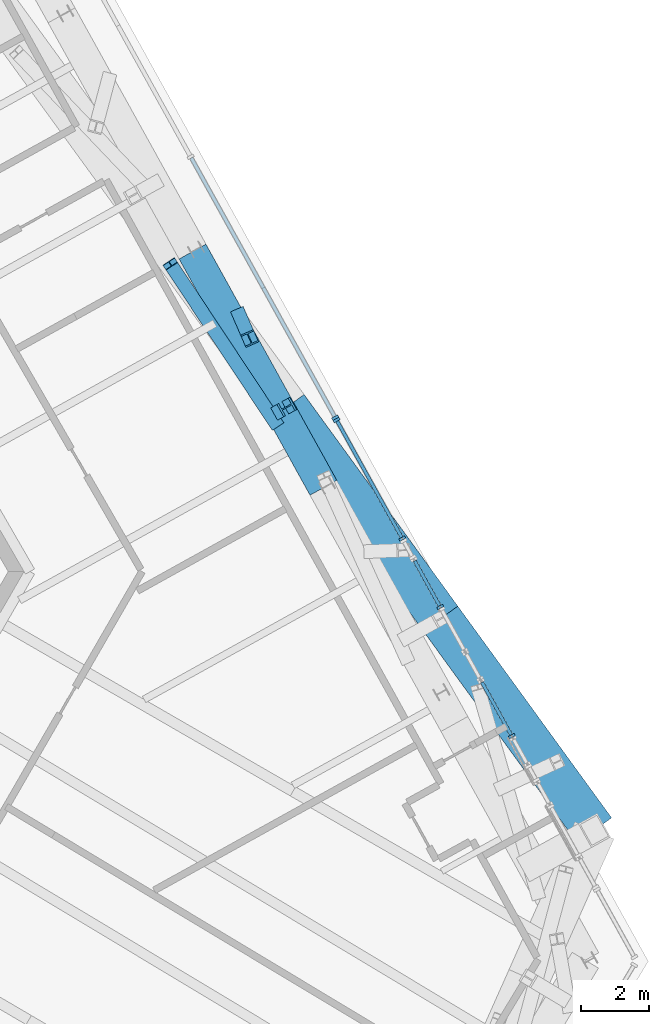
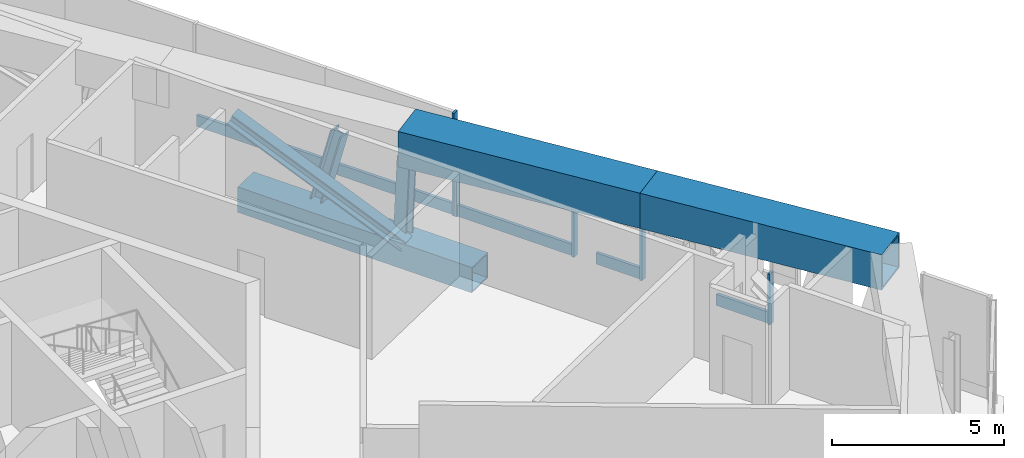
# One storey, part 6 of 28: 15 members, 4 elements without a shape of their own.
"""IFC4 building model written with IfcOpenShell, lengths in metres."""

from ifc_helpers import new_model, si_unit, direction, frame, origin, origin_2d, place, context, subcontext, project, spatial, rectangle, hollow_rectangle, i_section, extrude, source, transform, mapped, material, material_profile, profile_set, type_object, element, aggregate, save


model = new_model("IFC4")

# Units and contexts
model_context = context("Model", 3, precision=1e-05, world=origin(), true_north=direction((0.0, 1.0)))
body_context = subcontext(model_context, "Body", "Model", "MODEL_VIEW")
ifc_project = project(units=[si_unit("LENGTHUNIT", "METRE"), si_unit("AREAUNIT", "SQUARE_METRE"), si_unit("VOLUMEUNIT", "CUBIC_METRE"), si_unit("PLANEANGLEUNIT", "RADIAN"), si_unit("MASSUNIT", "GRAM", prefix="KILO")], contexts=[model_context])

# Site, building, storey
site_placement = place(None, origin())
site = spatial("IfcSite", under=ifc_project, at=site_placement, CompositionType="ELEMENT")
building_placement = place(site_placement, origin())
building = spatial("IfcBuilding", under=site, at=building_placement, Name="Triune Harvest Tower", CompositionType="ELEMENT")
storey_placement = place(building_placement, frame((0.0, 0.0, 215.89990234375)))
storey = spatial("IfcBuildingStorey", under=building, at=storey_placement, Name="L56", CompositionType="ELEMENT", Elevation=215.89990234375)

# Member
ifc_material_1 = material(Name="Steel ASTM A992 Gr 50", Category="steel")
ifc_material_profile_1 = material_profile(ifc_material_1, i_section(OverallWidth=0.40380859375, OverallDepth=0.406494140625, WebThickness=0.027099609375, FlangeThickness=0.043701171875, at=origin_2d()), Name="W14x233")
ifc_profile_set_1 = profile_set([ifc_material_profile_1], Name="Steel ASTM A992 Gr 50")
member_type_1 = type_object("IfcMemberType", Name="TD-3 Belt truss diagonal W14x233", PredefinedType="BRACE", material=ifc_profile_set_1)
member_1_placement = place(storey_placement, frame((19.40966796875, 4.329345703125, -0.324951171875), z_axis=(-0.496647546081, 0.749326512134, 0.438007983014), x_axis=(-0.83353794898, -0.55246220469, 0.0)))
element("IfcMember", 1, at=member_1_placement, inside=storey, type_object=member_type_1, Name="truss/L56/TD5", PredefinedType="BRACE", context=body_context, shape_type="SweptSolid", body=[
    extrude(i_section(OverallWidth=0.40380859375, OverallDepth=0.406494140625, WebThickness=0.027099609375, FlangeThickness=0.043701171875, at=origin_2d()), origin(), (0.0, 0.0, 1.0), 6.2783203125),
])

# Curtain wall, member
ifc_material_2 = material(Name="Aluminium bronze anodised", Category="aluminium")
curtain_wall_type = type_object("IfcCurtainWallType", Name="CW-5 Plant louvre wall", PredefinedType="NOTDEFINED", material=ifc_material_2)
curtain_wall_1_placement = place(storey_placement, origin())
curtain_wall_1 = element("IfcCurtainWall", 2, at=curtain_wall_1_placement, inside=storey, type_object=curtain_wall_type, Name="CW-5 B5-F1 L56 run 1001")
ifc_material_3 = material(Name="Aluminium bronze anodised", Category="aluminium")
ifc_material_profile_2 = material_profile(ifc_material_3, rectangle(XDim=0.10009765625, YDim=0.39990234375, at=origin_2d()), Name="TR-5 transom 100 x 400")
ifc_profile_set_2 = profile_set([ifc_material_profile_2], Name="Aluminium bronze anodised")
member_type_2 = type_object("IfcMemberType", Name="TR-5 transom 100 x 400", PredefinedType="USERDEFINED", material=ifc_profile_set_2)
member_2_placement = place(storey_placement, frame((24.197509765625, -1.003662109375, 0.2001953125), z_axis=(-0.484803217173, 0.87462325639, 0.0), x_axis=(-0.87462325639, -0.484803217173, 0.0)))
member_2 = element("IfcMember", 3, at=member_2_placement, type_object=member_type_2, Name="CW-5 transom B5-F1 1001.1", ObjectType="TRANSOM", PredefinedType="USERDEFINED", context=body_context, shape_type="SweptSolid", body=[
    extrude(rectangle(XDim=0.10009765625, YDim=0.39990234375, at=origin_2d()), origin(), (0.0, 0.0, 1.0), 1.50634765625),
])

curtain_wall_2_placement = place(storey_placement, origin())
curtain_wall_2 = element("IfcCurtainWall", 4, at=curtain_wall_2_placement, inside=storey, type_object=curtain_wall_type, Name="CW-5 B5-F1 L56 run 1201")
member_3_placement = place(storey_placement, frame((23.084716796875, 1.00390625, 0.2001953125), z_axis=(-0.484807966584, 0.874620623777, 0.0), x_axis=(-0.874620623777, -0.484807966584, 0.0)))
member_3 = element("IfcMember", 5, at=member_3_placement, type_object=member_type_2, Name="CW-5 transom B5-F1 1201.1", ObjectType="TRANSOM", PredefinedType="USERDEFINED", context=body_context, shape_type="SweptSolid", body=[
    extrude(rectangle(XDim=0.10009765625, YDim=0.39990234375, at=origin_2d()), origin(), (0.0, 0.0, 1.0), 3.898681640625),
])

curtain_wall_3_placement = place(storey_placement, origin())
curtain_wall_3 = element("IfcCurtainWall", 6, at=curtain_wall_3_placement, inside=storey, type_object=curtain_wall_type, Name="CW-5 B5-F1 L56 run 1301")
member_4_placement = place(storey_placement, frame((21.116943359375, 4.5537109375, 0.2001953125), z_axis=(-0.484796713117, 0.874626861554, 0.0), x_axis=(-0.874626861554, -0.484796713117, 0.0)))
member_4 = element("IfcMember", 7, at=member_4_placement, type_object=member_type_2, Name="CW-5 transom B5-F1 1301.1", ObjectType="TRANSOM", PredefinedType="USERDEFINED", context=body_context, shape_type="SweptSolid", body=[
    extrude(rectangle(XDim=0.10009765625, YDim=0.39990234375, at=origin_2d()), origin(), (0.0, 0.0, 1.0), 8.673828125),
])

# Members
ifc_material_4 = material(Name="Steel ASTM A572 Gr 50", Category="steel")
ifc_material_profile_3 = material_profile(ifc_material_4, hollow_rectangle(XDim=0.89990234375, YDim=0.89990234375, WallThickness=0.050048828125, at=origin_2d()), Name="Box 900x900x50")
ifc_profile_set_3 = profile_set([ifc_material_profile_3], Name="Steel ASTM A572 Gr 50")
member_type_3 = type_object("IfcMemberType", Name="TC-2 Belt truss chord Box 900x900x50", PredefinedType="CHORD", material=ifc_profile_set_3)
shared_shape_1 = source(origin(), body_context, "Body", "SweptSolid", [
    extrude(hollow_rectangle(XDim=0.89990234375, YDim=0.89990234375, WallThickness=0.050048828125, at=origin_2d()), origin(), (0.0, 0.0, 1.0), 7.92724609375),
])
member_5_placement = place(storey_placement, frame((20.788818359375, 2.459716796875, -0.699951171875), z_axis=(-0.484790236765, 0.874630451298, 0.0), x_axis=(-0.874630451298, -0.484790236765, 0.0)))
element("IfcMember", 8, at=member_5_placement, inside=storey, type_object=member_type_3, Name="truss/L56/TCB3", PredefinedType="CHORD", context=body_context, shape_type="MappedRepresentation", body=[
    mapped(shared_shape_1, transform((0.0, 0.0, 0.0), scale=1.0)),
])
ifc_material_5 = material(Name="Steel ASTM A572 Gr 50", Category="steel")
ifc_material_profile_4 = material_profile(ifc_material_5, hollow_rectangle(XDim=1.25, YDim=1.25, WallThickness=0.070068359375, at=origin_2d()), Name="Box 1250x1250x70")
ifc_profile_set_4 = profile_set([ifc_material_profile_4], Name="Steel ASTM A572 Gr 50")
member_type_4 = type_object("IfcMemberType", Name="TC-1 Belt truss chord Box 1250x1250x70", PredefinedType="CHORD", material=ifc_profile_set_4)
shared_shape_2 = source(origin(), body_context, "Body", "SweptSolid", [
    extrude(hollow_rectangle(XDim=1.25, YDim=1.25, WallThickness=0.070068359375, at=origin_2d()), origin(), (0.0, 0.0, 1.0), 7.679443359375),
])
for number, where, z_axis, x_axis, name in (
    (9, (28.741455078125, -7.59521484375, 3.01513671875), (-0.58778412343, 0.809017814541, 0.0), (-0.809017814541, -0.58778412343, 0.0), "truss/L56/TCT1"),
    (10, (24.2275390625, -1.38232421875, 3.01513671875), (-0.58778412343, 0.809017814541, 0.0), (-0.809017814541, -0.58778412343, 0.0), "truss/L56/TCT2"),
):
    element("IfcMember", number, at=place(storey_placement, frame(where, z_axis=z_axis, x_axis=x_axis)), inside=storey, type_object=member_type_4, Name=name, PredefinedType="CHORD", context=body_context, shape_type="MappedRepresentation", body=[
        mapped(shared_shape_2, transform((0.0, 0.0, 0.0), scale=1.0)),
    ])
ifc_material_6 = material(Name="Steel ASTM A992 Gr 50", Category="steel")
ifc_material_profile_5 = material_profile(ifc_material_6, i_section(OverallWidth=0.411376953125, OverallDepth=0.434326171875, WebThickness=0.035888671875, FlangeThickness=0.057373046875, at=origin_2d()), Name="W14x311")
ifc_profile_set_5 = profile_set([ifc_material_profile_5], Name="Steel ASTM A992 Gr 50")
member_type_5 = type_object("IfcMemberType", Name="TV-1 Belt truss strut W14x311", PredefinedType="STRUT", material=ifc_profile_set_5)
shared_shape_3 = source(origin(), body_context, "Body", "SweptSolid", [
    extrude(i_section(OverallWidth=0.411376953125, OverallDepth=0.434326171875, WebThickness=0.035888671875, FlangeThickness=0.057373046875, at=origin_2d()), origin(), (0.0, 0.0, 1.0), 2.7080078125),
])
member_6_placement = place(storey_placement, frame((19.531005859375, 4.729248046875, -0.27490234375), z_axis=(0.067435785457, 0.037414239257, 0.997021860112), x_axis=(-0.485146567495, 0.874432849365, 0.0)))
element("IfcMember", 11, at=member_6_placement, inside=storey, type_object=member_type_5, Name="truss/L56/TS3", PredefinedType="STRUT", context=body_context, shape_type="MappedRepresentation", body=[
    mapped(shared_shape_3, transform((0.0, 0.0, 0.0), scale=1.0)),
])
shared_shape_4 = source(origin(), body_context, "Body", "SweptSolid", [
    extrude(i_section(OverallWidth=0.40380859375, OverallDepth=0.406494140625, WebThickness=0.027099609375, FlangeThickness=0.043701171875, at=origin_2d()), origin(), (0.0, 0.0, 1.0), 2.849365234375),
])
member_7_placement = place(storey_placement, frame((18.324951171875, 7.523681640625, -0.324951171875), z_axis=(0.104193807244, -0.240005636588, 0.965163688158), x_axis=(0.917288589509, 0.398223107763, 0.0)))
element("IfcMember", 12, at=member_7_placement, inside=storey, type_object=member_type_1, Name="truss/L56/TD6", PredefinedType="BRACE", context=body_context, shape_type="MappedRepresentation", body=[
    mapped(shared_shape_4, transform((0.0, 0.0, 0.0), scale=1.0)),
])

# Member
ifc_material_7 = material(Name="Aluminium bronze anodised", Category="aluminium")
ifc_material_profile_6 = material_profile(ifc_material_7, rectangle(XDim=0.199951171875, YDim=0.080078125, at=origin_2d()), Name="MU-5 mullion 80 x 200")
ifc_profile_set_6 = profile_set([ifc_material_profile_6], Name="Aluminium bronze anodised")
member_type_6 = type_object("IfcMemberType", Name="MU-5 mullion 80 x 200", PredefinedType="MULLION", material=ifc_profile_set_6)
shared_shape_5 = source(origin(), body_context, "Body", "SweptSolid", [
    extrude(rectangle(XDim=0.199951171875, YDim=0.080078125, at=origin_2d()), origin(), (0.0, 0.0, 1.0), 3.64013671875),
])
member_8_placement = place(storey_placement, frame((21.13623046875, 4.518798828125, 0.0), z_axis=(0.0, 0.0, 1.0), x_axis=(-0.874620631272, -0.484807953064, 0.0)))
member_8 = element("IfcMember", 13, at=member_8_placement, type_object=member_type_6, Name="CW-5 mullion B5-F1 1301.1", PredefinedType="MULLION", context=body_context, shape_type="MappedRepresentation", body=[
    mapped(shared_shape_5, transform((0.0, 0.0, 0.0), scale=1.0)),
])

aggregate(curtain_wall_3, [member_8, member_4])

shared_shape_6 = source(origin(), body_context, "Body", "SweptSolid", [
    extrude(rectangle(XDim=0.199951171875, YDim=0.080078125, at=origin_2d()), origin(), (0.0, 0.0, 1.0), 2.330078125),
])
member_9_placement = place(storey_placement, frame((24.216796875, -1.03857421875, 0.0), z_axis=(0.0, 0.0, 1.0), x_axis=(-0.874629670755, -0.484791644973, 0.0)))
member_9 = element("IfcMember", 14, at=member_9_placement, type_object=member_type_6, Name="CW-5 mullion B5-F1 1001.1", PredefinedType="MULLION", context=body_context, shape_type="MappedRepresentation", body=[
    mapped(shared_shape_6, transform((0.0, 0.0, 0.0), scale=1.0)),
])

aggregate(curtain_wall_1, [member_9, member_2])

member_10_placement = place(storey_placement, frame((23.10400390625, 0.968994140625, 0.0), z_axis=(0.0, 0.0, 1.0), x_axis=(-0.874613616668, -0.484820607584, 0.0)))
member_10 = element("IfcMember", 15, at=member_10_placement, type_object=member_type_6, Name="CW-5 mullion B5-F1 1201.1", PredefinedType="MULLION", context=body_context, shape_type="MappedRepresentation", body=[
    mapped(shared_shape_6, transform((0.0, 0.0, 0.0), scale=1.0)),
])

member_11_placement = place(storey_placement, frame((21.175048828125, 4.44873046875, 0.0), z_axis=(0.0, 0.0, 1.0), x_axis=(-0.874613616668, -0.484820607584, 0.0)))
member_11 = element("IfcMember", 16, at=member_11_placement, type_object=member_type_6, Name="CW-5 mullion B5-F1 1201.2", PredefinedType="MULLION", context=body_context, shape_type="MappedRepresentation", body=[
    mapped(shared_shape_6, transform((0.0, 0.0, 0.0), scale=1.0)),
])

aggregate(curtain_wall_2, [member_10, member_11, member_3])

# Curtain wall, members
curtain_wall_4_placement = place(storey_placement, origin())
curtain_wall_4 = element("IfcCurtainWall", 17, at=curtain_wall_4_placement, inside=storey, type_object=curtain_wall_type, Name="CW-5 B5-F1 L56 run 701")
shared_shape_7 = source(origin(), body_context, "Body", "SweptSolid", [
    extrude(rectangle(XDim=0.199951171875, YDim=0.080078125, at=origin_2d()), origin(), (0.0, 0.0, 1.0), 1.793701171875),
])
member_12_placement = place(storey_placement, frame((26.317626953125, -4.828369140625, 0.0), z_axis=(0.0, 0.0, 1.0), x_axis=(-0.874629494008, -0.484791963847, 0.0)))
member_12 = element("IfcMember", 18, at=member_12_placement, type_object=member_type_6, Name="CW-5 mullion B5-F1 701.1", PredefinedType="MULLION", context=body_context, shape_type="MappedRepresentation", body=[
    mapped(shared_shape_7, transform((0.0, 0.0, 0.0), scale=1.0)),
])
shared_shape_8 = source(origin(), body_context, "Body", "SweptSolid", [
    extrude(rectangle(XDim=0.10009765625, YDim=0.39990234375, at=origin_2d()), origin(), (0.0, 0.0, 1.0), 1.76611328125),
])
member_13_placement = place(storey_placement, frame((26.298095703125, -4.793212890625, 0.2001953125), z_axis=(-0.484797631951, 0.874626352253, 0.0), x_axis=(-0.874626352253, -0.484797631951, 0.0)))
member_13 = element("IfcMember", 19, at=member_13_placement, type_object=member_type_2, Name="CW-5 transom B5-F1 701.1", ObjectType="TRANSOM", PredefinedType="USERDEFINED", context=body_context, shape_type="MappedRepresentation", body=[
    mapped(shared_shape_8, transform((0.0, 0.0, 0.0), scale=1.0)),
])
aggregate(curtain_wall_4, [member_12, member_13])

save(model, "model.ifc")
